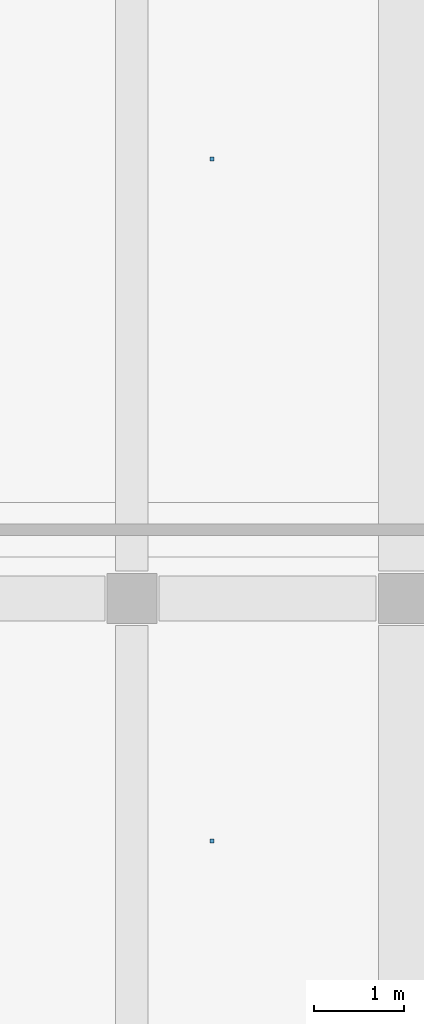
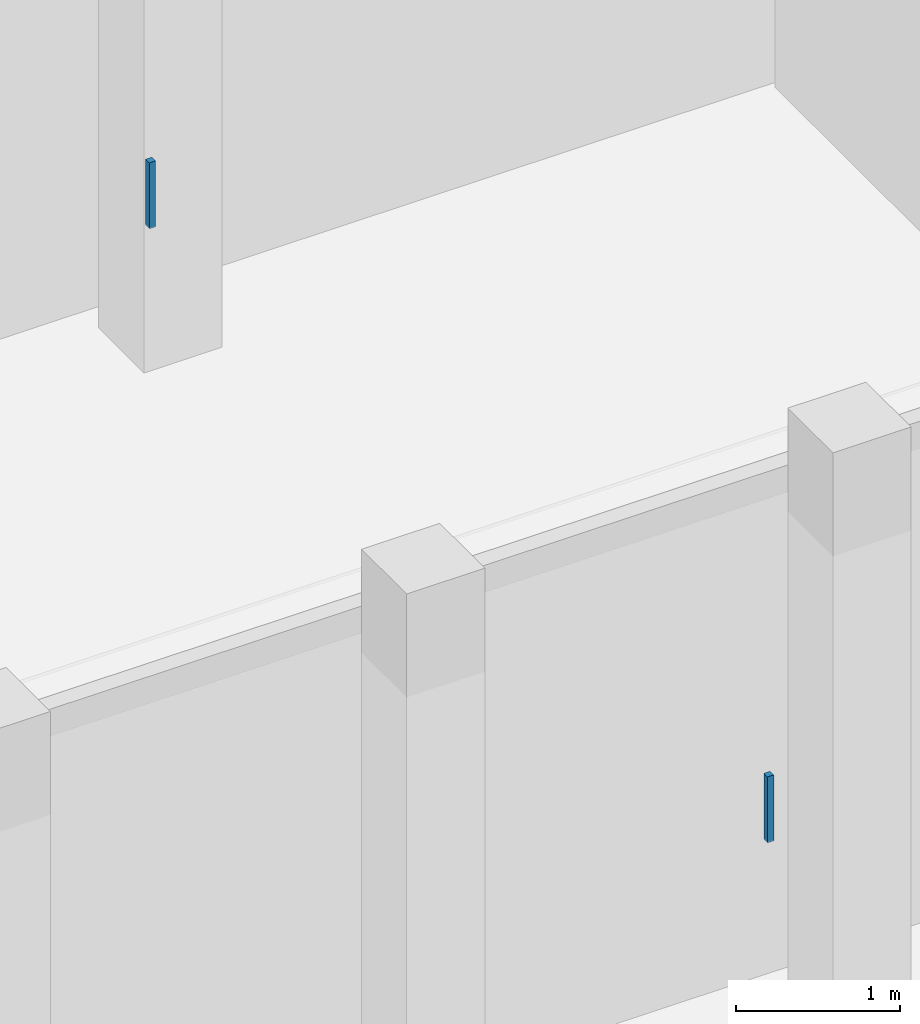
# One storey, part 77 of 95: 2 discrete accessories.
"""IFC4 building model written with IfcOpenShell, lengths in metres."""

from ifc_helpers import new_model, si_unit, derived_unit, direction, frame, origin, origin_2d, place, context, subcontext, project, spatial, rectangle, extrude, material, type_object, element, save


model = new_model("IFC4")

# Units and contexts
model_context = context("Model", 3, precision=1e-05, world=origin(), true_north=direction((0.0, 1.0)))
body_context = subcontext(model_context, "Body", "Model", "MODEL_VIEW")
ifc_project = project(units=[si_unit("LENGTHUNIT", "METRE"), si_unit("AREAUNIT", "SQUARE_METRE"), si_unit("VOLUMEUNIT", "CUBIC_METRE"), si_unit("PLANEANGLEUNIT", "RADIAN"), si_unit("MASSUNIT", "GRAM", prefix="KILO"), derived_unit("THERMALTRANSMITTANCEUNIT", [(si_unit("POWERUNIT", "WATT"), 1), (si_unit("LENGTHUNIT", "METRE"), -2), (si_unit("THERMODYNAMICTEMPERATUREUNIT", "KELVIN"), -1)])], contexts=[model_context])

# Site, building, storey
site_placement = place(None, origin())
site = spatial("IfcSite", under=ifc_project, at=site_placement, CompositionType="ELEMENT")
building_placement = place(site_placement, origin())
building = spatial("IfcBuilding", under=site, at=building_placement, Name="Braskholm Square Health Centre", CompositionType="ELEMENT")
storey_placement = place(building_placement, frame((0.0, 0.0, 4.800048828125)))
storey = spatial("IfcBuildingStorey", under=building, at=storey_placement, Name="L02", CompositionType="ELEMENT", Elevation=4.800048828125)

# Discrete accessories
ifc_material = material(Name="Steel ASTM A500 Grade C", Category="steel")
discrete_accessory_type = type_object("IfcDiscreteAccessoryType", Name="CeilingSuspensionBracket", PredefinedType="BRACKET", material=ifc_material)
for number, where, z_axis, x_axis, name in (
    (1, (146.68505859375, 52.719970703125, 3.72216796875), (0.0, 0.0, 1.0), (1.0, 0.0, 0.0), "Ceiling hanger bracket 0147"),
    (2, (146.68505859375, 60.2548828125, 3.72216796875), (0.0, 0.0, 1.0), (1.0, 0.0, 0.0), "Ceiling hanger bracket 0148"),
):
    element("IfcDiscreteAccessory", number, at=place(storey_placement, frame(where, z_axis=z_axis, x_axis=x_axis)), inside=storey, type_object=discrete_accessory_type, Name=name, PredefinedType="BRACKET", context=body_context, shape_type="SweptSolid", body=[
        extrude(rectangle(XDim=0.044921875, YDim=0.044921875, at=origin_2d()), origin(), (0.0, 0.0, 1.0), 0.489990234375),
    ])

save(model, "model.ifc")
